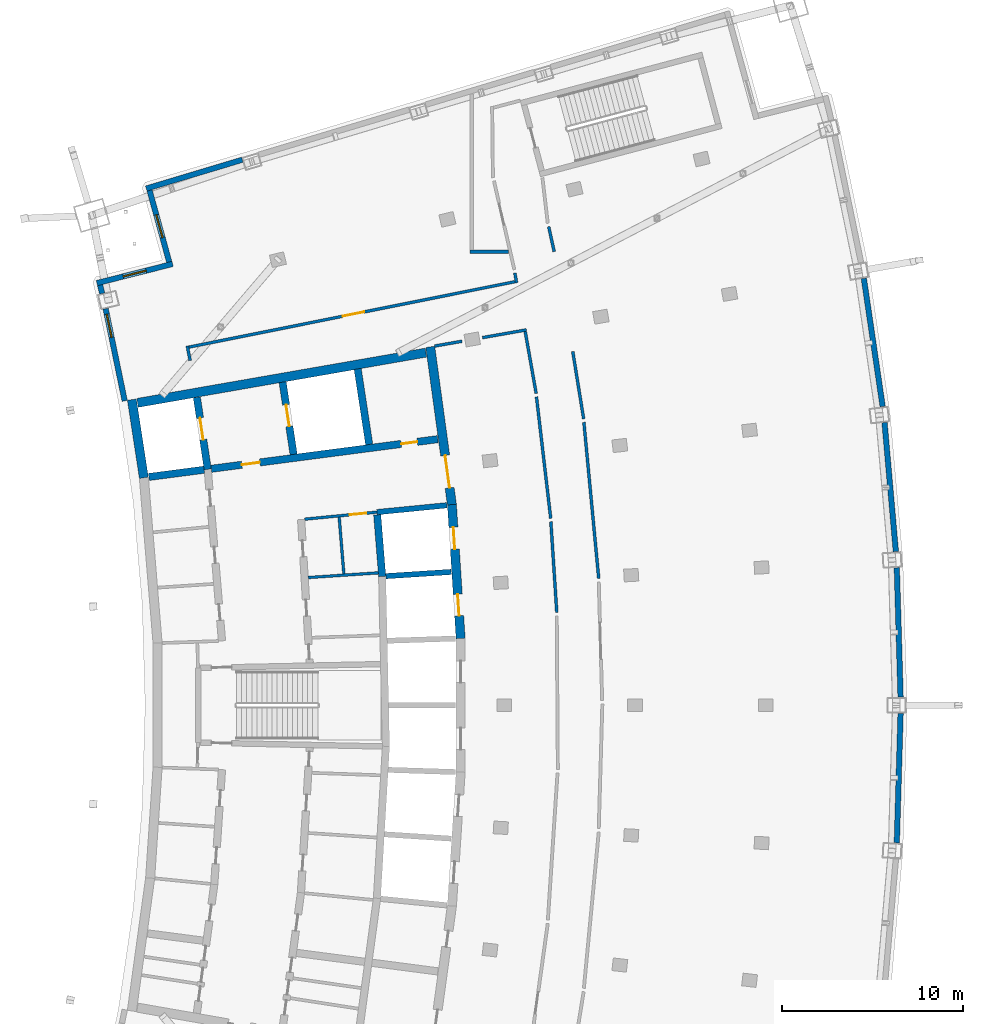
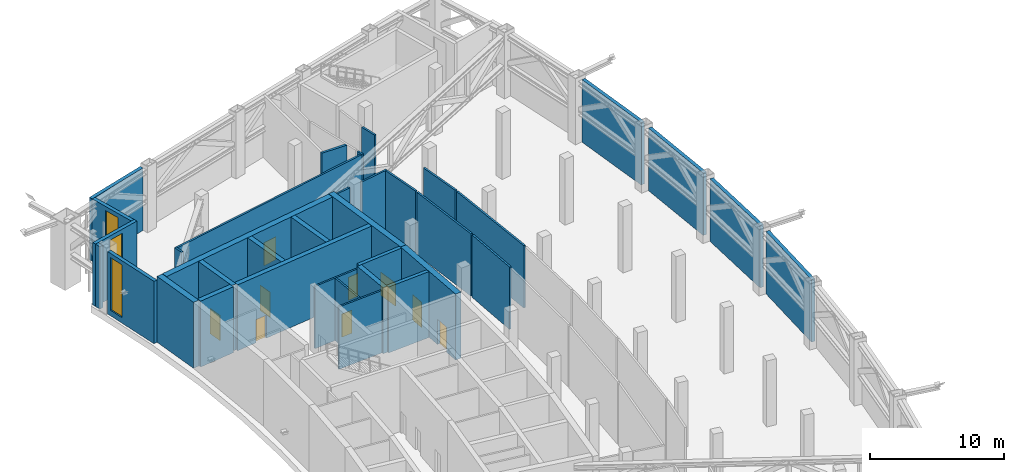
# One storey, part 16 of 23: 36 walls, 9 doors, 3 windows, 12 openings.
"""IFC4 building model written with IfcOpenShell, lengths in metres."""

from ifc_helpers import new_model, si_unit, direction, frame, frame_2d, origin, place, context, subcontext, project, spatial, rectangle, extrude, material, layer, layer_set, type_object, element, fill, save


model = new_model("IFC4")

# Units and contexts
model_context = context("Model", 3, precision=1e-05, world=origin(), true_north=direction((0.0, 1.0)))
body_context = subcontext(model_context, "Body", "Model", "MODEL_VIEW")
ifc_project = project(units=[si_unit("LENGTHUNIT", "METRE"), si_unit("AREAUNIT", "SQUARE_METRE"), si_unit("VOLUMEUNIT", "CUBIC_METRE"), si_unit("PLANEANGLEUNIT", "RADIAN"), si_unit("MASSUNIT", "GRAM", prefix="KILO")], contexts=[model_context])

# Site, building, storey
site_placement = place(None, origin())
site = spatial("IfcSite", under=ifc_project, at=site_placement, CompositionType="ELEMENT")
building_placement = place(site_placement, origin())
building = spatial("IfcBuilding", under=site, at=building_placement, Name="Alderwake Tower", CompositionType="ELEMENT")
storey_placement = place(building_placement, frame((0.0, 0.0, 239.60009765625)))
storey = spatial("IfcBuildingStorey", under=building, at=storey_placement, Name="L59", CompositionType="ELEMENT", Elevation=239.60009765625)

# Walls
ifc_material_1 = material(Name="Gypsum shaft wall system, rated")
ifc_layer_1 = layer(ifc_material_1, 0.14990234375)
ifc_layer_set_1 = layer_set([ifc_layer_1], Name="Core room partition 150")
wall_type_1 = type_object("IfcWallType", Name="Core room partition 150", PredefinedType="PARTITIONING", material=ifc_layer_set_1)
wall_1_placement = place(storey_placement, frame((26.954833984375, 68.245361328125, 0.0), z_axis=(0.0, 0.0, 1.0), x_axis=(-0.082122484008, 0.996622244193, 0.0)))
element("IfcWall", 1, at=wall_1_placement, inside=storey, type_object=wall_type_1, Name="CW/L59/PA+107_+70", PredefinedType="PARTITIONING", context=body_context, shape_type="SweptSolid", body=[
    extrude(rectangle(XDim=3.13037109375, YDim=0.14990234375, at=frame_2d((1.565185546875, 0.0))), origin(), (0.0, 0.0, 1.0), 5.679931640625),
])
wall_2_placement = place(storey_placement, frame((24.992431640625, 68.038818359375, 0.0), z_axis=(0.0, 0.0, 1.0), x_axis=(0.997760236964, 0.066891774789, 0.0)))
element("IfcWall", 2, at=wall_2_placement, inside=storey, type_object=wall_type_1, Name="CW/L59/PR+70_+86", PredefinedType="PARTITIONING", context=body_context, shape_type="SweptSolid", body=[
    extrude(rectangle(XDim=3.86865234375, YDim=0.14990234375, at=frame_2d((1.934326171875, 0.0))), origin(), (0.0, 0.0, 1.0), 5.679931640625),
])

# Wall, opening, door
wall_3_placement = place(storey_placement, frame((28.780517578125, 71.644287109375, 0.0), z_axis=(0.0, 0.0, 1.0), x_axis=(-0.995250000627, -0.097352125046, 0.0)))
wall_3 = element("IfcWall", 3, at=wall_3_placement, inside=storey, type_object=wall_type_1, Name="CW/L59/PR+102_+86", PredefinedType="PARTITIONING", context=body_context, shape_type="SweptSolid", body=[
    extrude(rectangle(XDim=4.0, YDim=0.14990234375, at=frame_2d((2.0, 0.0))), origin(), (0.0, 0.0, 1.0), 5.679931640625),
])
opening_1_placement = place(wall_3_placement, frame((0.60009765625, 0.0, 0.0)))
opening_1 = element("IfcOpeningElement", 4, at=opening_1_placement, cuts=wall_3, Name="Opening C022", PredefinedType="OPENING", context=body_context, shape_type="SweptSolid", body=[
    extrude(rectangle(XDim=0.89990234375, YDim=2.10009765625, at=frame_2d((0.449951171875, 1.050048828125))), frame((0.0, 0.0849609375, 0.0), z_axis=(0.0, -1.0, 0.0), x_axis=(1.0, 0.0, 0.0)), (0.0, 0.0, 1.0), 0.169921875),
])
ifc_material_2 = material(Name="Painted steel leaf", Category="steel")
door_type_1 = type_object("IfcDoorType", Name="Core room door 900", OperationType="SINGLE_SWING_LEFT", PredefinedType="DOOR", material=ifc_material_2)
door_1_placement = place(opening_1_placement, origin())
door_1 = element("IfcDoor", 5, at=door_1_placement, inside=storey, type_object=door_type_1, Name="Room door", OperationType="SINGLE_SWING_RIGHT", OverallHeight=2.10009765625, OverallWidth=0.89990234375, PredefinedType="DOOR", context=body_context, shape_type="SweptSolid", body=[
    extrude(rectangle(XDim=0.89990234375, YDim=2.10009765625, at=frame_2d((0.449951171875, 1.050048828125))), frame((0.0, 0.02490234375, 0.0), z_axis=(0.0, -1.0, 0.0), x_axis=(1.0, 0.0, 0.0)), (0.0, 0.0, 1.0), 0.050048828125),
])
fill(opening_1, door_1)

# Wall
ifc_material_3 = material(Name="Concrete C70/85", Category="concrete")
ifc_layer_2 = layer(ifc_material_3, 0.5)
ifc_layer_set_2 = layer_set([ifc_layer_2], Name="Core wall outer 500 C70-85")
wall_type_2 = type_object("IfcWallType", Name="Core wall outer 500 C70-85", PredefinedType="SHEAR", material=ifc_layer_set_2)
wall_4_placement = place(storey_placement, frame((15.934326171875, 73.5380859375, 0.0), z_axis=(0.0, 0.0, 1.0), x_axis=(-0.151947718368, 0.988388532351, 0.0)))
element("IfcWall", 6, at=wall_4_placement, inside=storey, type_object=wall_type_2, Name="Core wall CW.025", PredefinedType="SHEAR", context=body_context, shape_type="SweptSolid", body=[
    extrude(rectangle(XDim=4.357421875, YDim=0.5, at=frame_2d((2.1787109375, 0.0))), origin(), (0.0, 0.0, 1.0), 6.0),
])

# Wall, openings, doors
wall_5_placement = place(storey_placement, frame((33.390625, 64.679443359375, 0.0), z_axis=(0.0, 0.0, 1.0), x_axis=(-0.064980500916, 0.997886533881, 0.0)))
wall_5 = element("IfcWall", 7, at=wall_5_placement, inside=storey, type_object=wall_type_2, Name="Core wall CW.020", PredefinedType="SHEAR", context=body_context, shape_type="SweptSolid", body=[
    extrude(rectangle(XDim=7.39404296875, YDim=0.5, at=frame_2d((3.697021484375, 0.0))), origin(), (0.0, 0.0, 1.0), 6.0),
])
opening_2_placement = place(wall_5_placement, frame((1.25244140625, 0.0, 0.0)))
opening_2 = element("IfcOpeningElement", 8, at=opening_2_placement, cuts=wall_5, Name="Opening LD-HP5", PredefinedType="OPENING", context=body_context, shape_type="SweptSolid", body=[
    extrude(rectangle(XDim=1.199951171875, YDim=2.300048828125, at=frame_2d((0.60009765625, 1.14990234375))), frame((0.0, 0.260009765625, 0.0), z_axis=(0.0, -1.0, 0.0), x_axis=(1.0, 0.0, 0.0)), (0.0, 0.0, 1.0), 0.52001953125),
])
opening_3_placement = place(wall_5_placement, frame((4.94091796875, 0.0, 0.0)))
opening_3 = element("IfcOpeningElement", 9, at=opening_3_placement, cuts=wall_5, Name="Opening LD-HP6", PredefinedType="OPENING", context=body_context, shape_type="SweptSolid", body=[
    extrude(rectangle(XDim=1.199951171875, YDim=2.300048828125, at=frame_2d((0.60009765625, 1.14990234375))), frame((0.0, 0.260009765625, 0.0), z_axis=(0.0, -1.0, 0.0), x_axis=(1.0, 0.0, 0.0)), (0.0, 0.0, 1.0), 0.52001953125),
])
ifc_material_4 = material(Name="Stainless steel sliding leaf", Category="steel")
door_type_2 = type_object("IfcDoorType", Name="Lift landing door 1200", OperationType="SLIDING_TO_LEFT", PredefinedType="DOOR", material=ifc_material_4)
door_2_placement = place(opening_2_placement, origin())
door_2 = element("IfcDoor", 10, at=door_2_placement, inside=storey, type_object=door_type_2, Name="Lift landing door HP5", OperationType="SLIDING_TO_LEFT", OverallHeight=2.300048828125, OverallWidth=1.199951171875, PredefinedType="DOOR", context=body_context, shape_type="SweptSolid", body=[
    extrude(rectangle(XDim=1.199951171875, YDim=2.300048828125, at=frame_2d((0.60009765625, 1.14990234375))), frame((0.0, 0.02490234375, 0.0), z_axis=(0.0, -1.0, 0.0), x_axis=(1.0, 0.0, 0.0)), (0.0, 0.0, 1.0), 0.050048828125),
])
fill(opening_2, door_2)
door_3_placement = place(opening_3_placement, origin())
door_3 = element("IfcDoor", 11, at=door_3_placement, inside=storey, type_object=door_type_2, Name="Lift landing door HP6", OperationType="SLIDING_TO_LEFT", OverallHeight=2.300048828125, OverallWidth=1.199951171875, PredefinedType="DOOR", context=body_context, shape_type="SweptSolid", body=[
    extrude(rectangle(XDim=1.199951171875, YDim=2.300048828125, at=frame_2d((0.60009765625, 1.14990234375))), frame((0.0, 0.02490234375, 0.0), z_axis=(0.0, -1.0, 0.0), x_axis=(1.0, 0.0, 0.0)), (0.0, 0.0, 1.0), 0.050048828125),
])
fill(opening_3, door_3)

# Wall, opening, door
wall_6_placement = place(storey_placement, frame((31.71728515625, 80.752685546875, 0.0), z_axis=(0.0, 0.0, 1.0), x_axis=(0.1358539401, -0.990728876615, 0.0)))
wall_6 = element("IfcWall", 12, at=wall_6_placement, inside=storey, type_object=wall_type_2, Name="Core wall CW.019", PredefinedType="SHEAR", context=body_context, shape_type="SweptSolid", body=[
    extrude(rectangle(XDim=8.794921875, YDim=0.5, at=frame_2d((4.3974609375, 0.0))), origin(), (0.0, 0.0, 1.0), 6.0),
])
opening_4_placement = place(wall_6_placement, frame((6.0419921875, 0.0, 0.0)))
opening_4 = element("IfcOpeningElement", 13, at=opening_4_placement, cuts=wall_6, Name="Opening C001", PredefinedType="OPENING", context=body_context, shape_type="SweptSolid", body=[
    extrude(rectangle(XDim=1.800048828125, YDim=2.10009765625, at=frame_2d((0.89990234375, 1.050048828125))), frame((0.0, 0.260009765625, 0.0), z_axis=(0.0, -1.0, 0.0), x_axis=(1.0, 0.0, 0.0)), (0.0, 0.0, 1.0), 0.52001953125),
])
ifc_material_5 = material(Name="Steel-framed fire door leaves", Category="steel")
door_type_3 = type_object("IfcDoorType", Name="Core double door 1800 fire-rated", OperationType="DOUBLE_DOOR_SINGLE_SWING", PredefinedType="DOOR", material=ifc_material_5)
door_4_placement = place(opening_4_placement, origin())
door_4 = element("IfcDoor", 14, at=door_4_placement, inside=storey, type_object=door_type_3, Name="Lobby double door", OperationType="DOUBLE_DOOR_SINGLE_SWING", OverallHeight=2.10009765625, OverallWidth=1.800048828125, PredefinedType="DOOR", context=body_context, shape_type="SweptSolid", body=[
    extrude(rectangle(XDim=1.800048828125, YDim=2.10009765625, at=frame_2d((0.89990234375, 1.050048828125))), frame((0.0, 0.02490234375, 0.0), z_axis=(0.0, -1.0, 0.0), x_axis=(1.0, 0.0, 0.0)), (0.0, 0.0, 1.0), 0.050048828125),
])
fill(opening_4, door_4)

# Walls
wall_7_placement = place(storey_placement, frame((15.583251953125, 77.664306640625, 0.0), z_axis=(0.0, 0.0, 1.0), x_axis=(0.985139146221, 0.171758151429, 0.0)))
element("IfcWall", 15, at=wall_7_placement, inside=storey, type_object=wall_type_2, Name="Core wall CW.055", PredefinedType="SHEAR", context=body_context, shape_type="SweptSolid", body=[
    extrude(rectangle(XDim=16.134521484375, YDim=0.5, at=frame_2d((8.0673828125, 0.0))), origin(), (0.0, 0.0, 1.0), 6.0),
])
ifc_material_6 = material(Name="Concrete C70/85", Category="concrete")
ifc_layer_3 = layer(ifc_material_6, 0.300048828125)
ifc_layer_set_3 = layer_set([ifc_layer_3], Name="Core wall shaft 300 C70-85")
wall_type_3 = type_object("IfcWallType", Name="Core wall shaft 300 C70-85", PredefinedType="SHEAR", material=ifc_layer_set_3)
wall_8_placement = place(storey_placement, frame((29.268798828125, 68.115478515625, 0.0), z_axis=(0.0, 0.0, 1.0), x_axis=(0.997885735437, 0.064992761217, 0.0)))
element("IfcWall", 16, at=wall_8_placement, inside=storey, type_object=wall_type_3, Name="Core wall CW.061", PredefinedType="SHEAR", context=body_context, shape_type="SweptSolid", body=[
    extrude(rectangle(XDim=3.60986328125, YDim=0.300048828125, at=frame_2d((1.804931640625, 0.0))), origin(), (0.0, 0.0, 1.0), 6.0),
])
wall_9_placement = place(storey_placement, frame((28.780517578125, 71.644287109375, 0.0), z_axis=(0.0, 0.0, 1.0), x_axis=(0.995244248631, 0.097410910928, 0.0)))
element("IfcWall", 17, at=wall_9_placement, inside=storey, type_object=wall_type_3, Name="Core wall CW.049", PredefinedType="SHEAR", context=body_context, shape_type="SweptSolid", body=[
    extrude(rectangle(XDim=3.86962890625, YDim=0.300048828125, at=frame_2d((1.934814453125, 0.0))), origin(), (0.0, 0.0, 1.0), 6.0),
])

# Wall, opening, door
ifc_material_7 = material(Name="Concrete C70/85", Category="concrete")
ifc_layer_4 = layer(ifc_material_7, 0.39990234375)
ifc_layer_set_4 = layer_set([ifc_layer_4], Name="Core wall spine 400 C70-85")
wall_type_4 = type_object("IfcWallType", Name="Core wall spine 400 C70-85", PredefinedType="SHEAR", material=ifc_layer_set_4)
wall_10_placement = place(storey_placement, frame((19.4541015625, 74.00048828125, 0.0), z_axis=(0.0, 0.0, 1.0), x_axis=(-0.149461330246, 0.988767571657, 0.0)))
wall_10 = element("IfcWall", 18, at=wall_10_placement, inside=storey, type_object=wall_type_4, Name="Core wall CW.030", PredefinedType="SHEAR", context=body_context, shape_type="SweptSolid", body=[
    extrude(rectangle(XDim=4.01513671875, YDim=0.39990234375, at=frame_2d((2.007568359375, 0.0))), origin(), (0.0, 0.0, 1.0), 6.0),
])
opening_5_placement = place(wall_10_placement, frame((1.6611328125, 0.0, 0.0)))
opening_5 = element("IfcOpeningElement", 19, at=opening_5_placement, cuts=wall_10, Name="Opening LD-FF1", PredefinedType="OPENING", context=body_context, shape_type="SweptSolid", body=[
    extrude(rectangle(XDim=1.199951171875, YDim=2.300048828125, at=frame_2d((0.60009765625, 1.14990234375))), frame((0.0, 0.2099609375, 0.0), z_axis=(0.0, -1.0, 0.0), x_axis=(1.0, 0.0, 0.0)), (0.0, 0.0, 1.0), 0.419921875),
])
door_5_placement = place(opening_5_placement, origin())
door_5 = element("IfcDoor", 20, at=door_5_placement, inside=storey, type_object=door_type_2, Name="Lift landing door FF1", OperationType="SLIDING_TO_LEFT", OverallHeight=2.300048828125, OverallWidth=1.199951171875, PredefinedType="DOOR", context=body_context, shape_type="SweptSolid", body=[
    extrude(rectangle(XDim=1.199951171875, YDim=2.300048828125, at=frame_2d((0.60009765625, 1.14990234375))), frame((0.0, 0.02490234375, 0.0), z_axis=(0.0, -1.0, 0.0), x_axis=(1.0, 0.0, 0.0)), (0.0, 0.0, 1.0), 0.050048828125),
])
fill(opening_5, door_5)

wall_11_placement = place(storey_placement, frame((24.186279296875, 74.82861328125, 0.0), z_axis=(0.0, 0.0, 1.0), x_axis=(-0.150547717109, 0.988602743711, 0.0)))
wall_11 = element("IfcWall", 21, at=wall_11_placement, inside=storey, type_object=wall_type_4, Name="Core wall CW.044", PredefinedType="SHEAR", context=body_context, shape_type="SweptSolid", body=[
    extrude(rectangle(XDim=4.0234375, YDim=0.39990234375, at=frame_2d((2.01171875, 0.0))), origin(), (0.0, 0.0, 1.0), 6.0),
])
opening_6_placement = place(wall_11_placement, frame((1.561767578125, 0.0, 0.0)))
opening_6 = element("IfcOpeningElement", 22, at=opening_6_placement, cuts=wall_11, Name="Opening LD-FF2", PredefinedType="OPENING", context=body_context, shape_type="SweptSolid", body=[
    extrude(rectangle(XDim=1.199951171875, YDim=2.300048828125, at=frame_2d((0.60009765625, 1.14990234375))), frame((0.0, 0.2099609375, 0.0), z_axis=(0.0, -1.0, 0.0), x_axis=(1.0, 0.0, 0.0)), (0.0, 0.0, 1.0), 0.419921875),
])
door_6_placement = place(opening_6_placement, origin())
door_6 = element("IfcDoor", 23, at=door_6_placement, inside=storey, type_object=door_type_2, Name="Lift landing door FF2", OperationType="SLIDING_TO_LEFT", OverallHeight=2.300048828125, OverallWidth=1.199951171875, PredefinedType="DOOR", context=body_context, shape_type="SweptSolid", body=[
    extrude(rectangle(XDim=1.199951171875, YDim=2.300048828125, at=frame_2d((0.60009765625, 1.14990234375))), frame((0.0, 0.02490234375, 0.0), z_axis=(0.0, -1.0, 0.0), x_axis=(1.0, 0.0, 0.0)), (0.0, 0.0, 1.0), 0.050048828125),
])
fill(opening_6, door_6)

# Walls
wall_12_placement = place(storey_placement, frame((29.069580078125, 68.09619140625, 0.0), z_axis=(0.0, 0.0, 1.0), x_axis=(-0.080544811251, 0.996750988653, 0.0)))
element("IfcWall", 24, at=wall_12_placement, inside=storey, type_object=wall_type_4, Name="Core wall CW.003", PredefinedType="SHEAR", context=body_context, shape_type="SweptSolid", body=[
    extrude(rectangle(XDim=3.409912109375, YDim=0.39990234375, at=frame_2d((1.705078125, 0.0))), origin(), (0.0, 0.0, 1.0), 6.0),
])
wall_13_placement = place(storey_placement, frame((28.350830078125, 75.373291015625, 0.0), z_axis=(0.0, 0.0, 1.0), x_axis=(-0.150576223774, 0.988598402201, 0.0)))
element("IfcWall", 25, at=wall_13_placement, inside=storey, type_object=wall_type_4, Name="Core wall CW.001", PredefinedType="SHEAR", context=body_context, shape_type="SweptSolid", body=[
    extrude(rectangle(XDim=4.21240234375, YDim=0.39990234375, at=frame_2d((2.106201171875, 0.0))), origin(), (0.0, 0.0, 1.0), 6.0),
])
wall_14_placement = place(storey_placement, frame((16.210693359375, 73.583740234375, 0.0), z_axis=(0.0, 0.0, 1.0), x_axis=(0.991560893257, 0.129641794819, 0.0)))
element("IfcWall", 26, at=wall_14_placement, inside=storey, type_object=wall_type_4, Name="Core wall CW.051", PredefinedType="SHEAR", context=body_context, shape_type="SweptSolid", body=[
    extrude(rectangle(XDim=3.069580078125, YDim=0.39990234375, at=frame_2d((1.53466796875, 0.0))), origin(), (0.0, 0.0, 1.0), 6.0),
])

# Wall, openings, doors
wall_15_placement = place(storey_placement, frame((32.132080078125, 75.666015625, 0.0), z_axis=(0.0, 0.0, 1.0), x_axis=(-0.991555139901, -0.129685791576, 0.0)))
wall_15 = element("IfcWall", 27, at=wall_15_placement, inside=storey, type_object=wall_type_4, Name="Core wall CW.052", PredefinedType="SHEAR", context=body_context, shape_type="SweptSolid", body=[
    extrude(rectangle(XDim=12.586669921875, YDim=0.39990234375, at=frame_2d((6.29345703125, 0.0))), origin(), (0.0, 0.0, 1.0), 6.0),
])
opening_7_placement = place(wall_15_placement, frame((9.88720703125, 0.0, 0.0)))
opening_7 = element("IfcOpeningElement", 28, at=opening_7_placement, cuts=wall_15, Name="Opening C002", PredefinedType="OPENING", context=body_context, shape_type="SweptSolid", body=[
    extrude(rectangle(XDim=1.0, YDim=2.10009765625, at=frame_2d((0.5, 1.050048828125))), frame((0.0, 0.2099609375, 0.0), z_axis=(0.0, -1.0, 0.0), x_axis=(1.0, 0.0, 0.0)), (0.0, 0.0, 1.0), 0.419921875),
])
opening_8_placement = place(wall_15_placement, frame((1.13720703125, 0.0, 0.0)))
opening_8 = element("IfcOpeningElement", 29, at=opening_8_placement, cuts=wall_15, Name="Opening C020", PredefinedType="OPENING", context=body_context, shape_type="SweptSolid", body=[
    extrude(rectangle(XDim=0.89990234375, YDim=2.10009765625, at=frame_2d((0.449951171875, 1.050048828125))), frame((0.0, 0.2099609375, 0.0), z_axis=(0.0, -1.0, 0.0), x_axis=(1.0, 0.0, 0.0)), (0.0, 0.0, 1.0), 0.419921875),
])
door_7_placement = place(opening_8_placement, origin())
door_7 = element("IfcDoor", 30, at=door_7_placement, inside=storey, type_object=door_type_1, Name="Room door", OperationType="SINGLE_SWING_LEFT", OverallHeight=2.10009765625, OverallWidth=0.89990234375, PredefinedType="DOOR", context=body_context, shape_type="SweptSolid", body=[
    extrude(rectangle(XDim=0.89990234375, YDim=2.10009765625, at=frame_2d((0.449951171875, 1.050048828125))), frame((0.0, 0.02490234375, 0.0), z_axis=(0.0, -1.0, 0.0), x_axis=(1.0, 0.0, 0.0)), (0.0, 0.0, 1.0), 0.050048828125),
])
fill(opening_8, door_7)
ifc_material_8 = material(Name="Steel-framed fire door leaf", Category="steel")
door_type_4 = type_object("IfcDoorType", Name="Firefighting lobby door 1000 fire-rated", OperationType="SINGLE_SWING_LEFT", PredefinedType="DOOR", material=ifc_material_8)
door_8_placement = place(opening_7_placement, origin())
door_8 = element("IfcDoor", 31, at=door_8_placement, inside=storey, type_object=door_type_4, Name="Firefighting lobby door", OperationType="SINGLE_SWING_RIGHT", OverallHeight=2.10009765625, OverallWidth=1.0, PredefinedType="DOOR", context=body_context, shape_type="SweptSolid", body=[
    extrude(rectangle(XDim=1.0, YDim=2.10009765625, at=frame_2d((0.5, 1.050048828125))), frame((0.0, 0.02490234375, 0.0), z_axis=(0.0, -1.0, 0.0), x_axis=(1.0, 0.0, 0.0)), (0.0, 0.0, 1.0), 0.050048828125),
])
fill(opening_7, door_8)

# Walls
ifc_material_9 = material(Name="Gypsum board on metal studs, rated")
ifc_layer_5 = layer(ifc_material_9, 0.159912109375)
ifc_layer_set_5 = layer_set([ifc_layer_5], Name="Corridor wall 160")
wall_type_5 = type_object("IfcWallType", Name="Corridor wall 160", PredefinedType="PARTITIONING", material=ifc_layer_set_5)
wall_16_placement = place(storey_placement, frame((18.32666015625, 80.802490234375, 0.0), z_axis=(0.0, 0.0, 1.0), x_axis=(0.191341767501, -0.981523472979, 0.0)))
element("IfcWall", 32, at=wall_16_placement, inside=storey, type_object=wall_type_5, Name="WL/L59/W06", PredefinedType="PARTITIONING", context=body_context, shape_type="SweptSolid", body=[
    extrude(rectangle(XDim=0.816650390625, YDim=0.159912109375, at=frame_2d((0.408203125, 0.0))), origin(), (0.0, 0.0, 1.0), 5.679931640625),
])
wall_17_placement = place(storey_placement, frame((31.9619140625, 80.7958984375, 0.0), z_axis=(0.0, 0.0, 1.0), x_axis=(0.984746575646, 0.173994775078, 0.0)))
element("IfcWall", 33, at=wall_17_placement, inside=storey, type_object=wall_type_5, Name="WL/L59/W08", PredefinedType="PARTITIONING", context=body_context, shape_type="SweptSolid", body=[
    extrude(rectangle(XDim=1.529541015625, YDim=0.159912109375, at=frame_2d((0.7646484375, 0.0))), origin(), (0.0, 0.0, 1.0), 5.679931640625),
])
wall_18_placement = place(storey_placement, frame((34.594482421875, 81.26123046875, 0.0), z_axis=(0.0, 0.0, 1.0), x_axis=(0.984741532157, 0.17402331696, 0.0)))
element("IfcWall", 34, at=wall_18_placement, inside=storey, type_object=wall_type_5, Name="WL/L59/W36", PredefinedType="PARTITIONING", context=body_context, shape_type="SweptSolid", body=[
    extrude(rectangle(XDim=2.4580078125, YDim=0.159912109375, at=frame_2d((1.22900390625, 0.0))), origin(), (0.0, 0.0, 1.0), 5.679931640625),
])
wall_19_placement = place(storey_placement, frame((36.379638671875, 84.823486328125, 0.0), z_axis=(0.0, 0.0, 1.0), x_axis=(0.175100178187, -0.984550622162, 0.0)))
element("IfcWall", 35, at=wall_19_placement, inside=storey, type_object=wall_type_5, Name="WL/L59/W13", PredefinedType="PARTITIONING", context=body_context, shape_type="SweptSolid", body=[
    extrude(rectangle(XDim=0.55078125, YDim=0.159912109375, at=frame_2d((0.275390625, 0.0))), origin(), (0.0, 0.0, 1.0), 5.679931640625),
])

# Wall, opening, door
wall_20_placement = place(storey_placement, frame((36.383544921875, 84.34423828125, 0.0), z_axis=(0.0, 0.0, 1.0), x_axis=(-0.980455935077, -0.196738810029, 0.0)))
wall_20 = element("IfcWall", 36, at=wall_20_placement, inside=storey, type_object=wall_type_5, Name="WL/L59/W15", PredefinedType="PARTITIONING", context=body_context, shape_type="SweptSolid", body=[
    extrude(rectangle(XDim=18.3212890625, YDim=0.159912109375, at=frame_2d((9.16064453125, 0.0))), origin(), (0.0, 0.0, 1.0), 5.679931640625),
])
opening_9_placement = place(wall_20_placement, frame((8.470947265625, 0.0, 0.0)))
opening_9 = element("IfcOpeningElement", 37, at=opening_9_placement, cuts=wall_20, Name="Opening L59-04", PredefinedType="OPENING", context=body_context, shape_type="SweptSolid", body=[
    extrude(rectangle(XDim=1.199951171875, YDim=2.10009765625, at=frame_2d((0.60009765625, 1.050048828125))), frame((0.0, 0.08984375, 0.0), z_axis=(0.0, -1.0, 0.0), x_axis=(1.0, 0.0, 0.0)), (0.0, 0.0, 1.0), 0.179931640625),
])
ifc_material_10 = material(Name="Steel door leaf in steel frame", Category="steel")
door_type_5 = type_object("IfcDoorType", Name="Plant room door 1200 steel", OperationType="SINGLE_SWING_LEFT", PredefinedType="DOOR", material=ifc_material_10)
door_9_placement = place(opening_9_placement, origin())
door_9 = element("IfcDoor", 38, at=door_9_placement, inside=storey, type_object=door_type_5, Name="DR/L59/04", OperationType="SINGLE_SWING_LEFT", OverallHeight=2.10009765625, OverallWidth=1.199951171875, PredefinedType="DOOR", context=body_context, shape_type="SweptSolid", body=[
    extrude(rectangle(XDim=1.199951171875, YDim=2.10009765625, at=frame_2d((0.60009765625, 1.050048828125))), frame((0.0, 0.02490234375, 0.0), z_axis=(0.0, -1.0, 0.0), x_axis=(1.0, 0.0, 0.0)), (0.0, 0.0, 1.0), 0.050048828125),
])
fill(opening_9, door_9)

# Walls
wall_21_placement = place(storey_placement, frame((36.949951171875, 81.59619140625, 0.0), z_axis=(0.0, 0.0, 1.0), x_axis=(0.174094933597, -0.984728873394, 0.0)))
element("IfcWall", 39, at=wall_21_placement, inside=storey, type_object=wall_type_5, Name="WL/L59/W18", PredefinedType="PARTITIONING", context=body_context, shape_type="SweptSolid", body=[
    extrude(rectangle(XDim=3.4638671875, YDim=0.159912109375, at=frame_2d((1.73193359375, 0.0))), origin(), (0.0, 0.0, 1.0), 5.679931640625),
])
wall_22_placement = place(storey_placement, frame((37.570068359375, 77.9990234375, 0.0), z_axis=(0.0, 0.0, 1.0), x_axis=(0.11645047011, -0.993196500201, 0.0)))
element("IfcWall", 40, at=wall_22_placement, inside=storey, type_object=wall_type_5, Name="WL/L59/W20", PredefinedType="PARTITIONING", context=body_context, shape_type="SweptSolid", body=[
    extrude(rectangle(XDim=6.742431640625, YDim=0.159912109375, at=frame_2d((3.37109375, 0.0))), origin(), (0.0, 0.0, 1.0), 5.679931640625),
])
wall_23_placement = place(storey_placement, frame((38.36328125, 71.115966796875, 0.0), z_axis=(0.0, 0.0, 1.0), x_axis=(0.065232050618, -0.997870121595, 0.0)))
element("IfcWall", 41, at=wall_23_placement, inside=storey, type_object=wall_type_5, Name="WL/L59/W26", PredefinedType="PARTITIONING", context=body_context, shape_type="SweptSolid", body=[
    extrude(rectangle(XDim=5.011474609375, YDim=0.159912109375, at=frame_2d((2.505859375, 0.0))), origin(), (0.0, 0.0, 1.0), 5.679931640625),
])
wall_24_placement = place(storey_placement, frame((38.547119140625, 86.0009765625, 0.0), z_axis=(0.0, 0.0, 1.0), x_axis=(-0.215997993434, 0.976393807248, 0.0)))
element("IfcWall", 42, at=wall_24_placement, inside=storey, type_object=wall_type_5, Name="WL/L59/W27", PredefinedType="PARTITIONING", context=body_context, shape_type="SweptSolid", body=[
    extrude(rectangle(XDim=1.4140625, YDim=0.159912109375, at=frame_2d((0.70703125, 0.0))), origin(), (0.0, 0.0, 1.0), 5.679931640625),
])
wall_25_placement = place(storey_placement, frame((40.1708984375, 76.783935546875, 0.0), z_axis=(0.0, 0.0, 1.0), x_axis=(-0.159652585989, 0.987173263306, 0.0)))
element("IfcWall", 43, at=wall_25_placement, inside=storey, type_object=wall_type_5, Name="WL/L59/W32", PredefinedType="PARTITIONING", context=body_context, shape_type="SweptSolid", body=[
    extrude(rectangle(XDim=3.763427734375, YDim=0.159912109375, at=frame_2d((1.8818359375, 0.0))), origin(), (0.0, 0.0, 1.0), 5.679931640625),
])
wall_26_placement = place(storey_placement, frame((41.002685546875, 67.9873046875, 0.0), z_axis=(0.0, 0.0, 1.0), x_axis=(-0.094731831177, 0.995502827802, 0.0)))
element("IfcWall", 44, at=wall_26_placement, inside=storey, type_object=wall_type_5, Name="WL/L59/W34", PredefinedType="PARTITIONING", context=body_context, shape_type="SweptSolid", body=[
    extrude(rectangle(XDim=8.64892578125, YDim=0.159912109375, at=frame_2d((4.324462890625, 0.0))), origin(), (0.0, 0.0, 1.0), 5.679931640625),
])
ifc_material_11 = material(Name="Bronze metal cladding on lightweight framing")
ifc_layer_6 = layer(ifc_material_11, 0.300048828125)
ifc_layer_set_6 = layer_set([ifc_layer_6], Name="External wall EW3 plant enclosure")
wall_type_6 = type_object("IfcWallType", Name="External wall EW3 plant enclosure", PredefinedType="SOLIDWALL", material=ifc_layer_set_6)
for number, where, z_axis, x_axis, name in (
    (45, (57.428955078125, 53.422119140625, 0.0), (0.0, 0.0, 1.0), (0.029158685433, 0.999574795132, 0.0), "External wall 15"),
    (46, (57.636962890625, 61.447265625, 0.0), (0.0, 0.0, 1.0), (-0.029158685433, 0.999574795132, 0.0), "External wall 16"),
):
    element("IfcWall", number, at=place(storey_placement, frame(where, z_axis=z_axis, x_axis=x_axis)), inside=storey, type_object=wall_type_6, Name=name, PredefinedType="SOLIDWALL", context=body_context, shape_type="SweptSolid", body=[
        extrude(rectangle(XDim=7.133544921875, YDim=0.300048828125, at=frame_2d((3.56689453125, 0.0))), origin(), (0.0, 0.0, 1.0), 5.679931640625),
    ])
wall_27_placement = place(storey_placement, frame((57.376708984375, 69.470703125, 0.0), z_axis=(0.0, 0.0, 1.0), x_axis=(-0.087372427007, 0.996175716929, 0.0)))
element("IfcWall", 47, at=wall_27_placement, inside=storey, type_object=wall_type_6, Name="External wall 17", PredefinedType="SOLIDWALL", context=body_context, shape_type="SweptSolid", body=[
    extrude(rectangle(XDim=7.1337890625, YDim=0.300048828125, at=frame_2d((3.56689453125, 0.0))), origin(), (0.0, 0.0, 1.0), 5.679931640625),
])
wall_28_placement = place(storey_placement, frame((56.649169921875, 77.465576171875, 0.0), z_axis=(0.0, 0.0, 1.0), x_axis=(-0.14531565173, 0.989385345233, 0.0)))
element("IfcWall", 48, at=wall_28_placement, inside=storey, type_object=wall_type_6, Name="External wall 18", PredefinedType="SOLIDWALL", context=body_context, shape_type="SweptSolid", body=[
    extrude(rectangle(XDim=7.133544921875, YDim=0.300048828125, at=frame_2d((3.56689453125, 0.0))), origin(), (0.0, 0.0, 1.0), 5.679931640625),
])
wall_29_placement = place(storey_placement, frame((21.356689453125, 91.064697265625, 0.0), z_axis=(0.0, 0.0, 1.0), x_axis=(-0.957772749247, -0.287526278451, 0.0)))
element("IfcWall", 49, at=wall_29_placement, inside=storey, type_object=wall_type_6, Name="External wall 27", PredefinedType="SOLIDWALL", context=body_context, shape_type="SweptSolid", body=[
    extrude(rectangle(XDim=5.524169921875, YDim=0.300048828125, at=frame_2d((2.76220703125, 0.0))), origin(), (0.0, 0.0, 1.0), 5.679931640625),
])

# Wall, opening, window
wall_30_placement = place(storey_placement, frame((16.248779296875, 89.374755859375, 0.0), z_axis=(0.0, 0.0, 1.0), x_axis=(0.264607053468, -0.964356317579, 0.0)))
wall_30 = element("IfcWall", 50, at=wall_30_placement, inside=storey, type_object=wall_type_6, Name="External wall 28", PredefinedType="SOLIDWALL", context=body_context, shape_type="SweptSolid", body=[
    extrude(rectangle(XDim=4.090087890625, YDim=0.300048828125, at=frame_2d((2.044921875, 0.0))), origin(), (0.0, 0.0, 1.0), 5.679931640625),
])
opening_10_placement = place(wall_30_placement, frame((1.39501953125, 0.0, 0.5)))
opening_10 = element("IfcOpeningElement", 51, at=opening_10_placement, cuts=wall_30, Name="Opening LV1", PredefinedType="OPENING", context=body_context, shape_type="SweptSolid", body=[
    extrude(rectangle(XDim=1.300048828125, YDim=4.800048828125, at=frame_2d((0.64990234375, 2.39990234375))), frame((0.0, 0.159912109375, 0.0), z_axis=(0.0, -1.0, 0.0), x_axis=(1.0, 0.0, 0.0)), (0.0, 0.0, 1.0), 0.320068359375),
])
ifc_material_12 = material(Name="Bronze anodised aluminium louvre", Category="aluminium")
window_type = type_object("IfcWindowType", Name="Louvre LV1 plant floor", PartitioningType="SINGLE_PANEL", PredefinedType="USERDEFINED", material=ifc_material_12)
window_1_placement = place(opening_10_placement, origin())
window_1 = element("IfcWindow", 52, at=window_1_placement, inside=storey, type_object=window_type, Name="Louvre LV1 plant floor", ObjectType="LOUVRE", OverallHeight=4.800048828125, OverallWidth=1.300048828125, PartitioningType="SINGLE_PANEL", PredefinedType="USERDEFINED", context=body_context, shape_type="SweptSolid", body=[
    extrude(rectangle(XDim=1.300048828125, YDim=4.800048828125, at=frame_2d((0.64990234375, 2.39990234375))), frame((0.0, 0.030029296875, 0.0), z_axis=(0.0, -1.0, 0.0), x_axis=(1.0, 0.0, 0.0)), (0.0, 0.0, 1.0), 0.06005859375),
])
fill(opening_10, window_1)

wall_31_placement = place(storey_placement, frame((17.51611328125, 85.32275390625, 0.0), z_axis=(0.0, 0.0, 1.0), x_axis=(-0.969417740682, -0.245416470617, 0.0)))
wall_31 = element("IfcWall", 53, at=wall_31_placement, inside=storey, type_object=wall_type_6, Name="External wall 29", PredefinedType="SOLIDWALL", context=body_context, shape_type="SweptSolid", body=[
    extrude(rectangle(XDim=4.305419921875, YDim=0.300048828125, at=frame_2d((2.15283203125, 0.0))), origin(), (0.0, 0.0, 1.0), 5.679931640625),
])
opening_11_placement = place(wall_31_placement, frame((1.502685546875, 0.0, 0.5)))
opening_11 = element("IfcOpeningElement", 54, at=opening_11_placement, cuts=wall_31, Name="Opening LV1", PredefinedType="OPENING", context=body_context, shape_type="SweptSolid", body=[
    extrude(rectangle(XDim=1.300048828125, YDim=4.800048828125, at=frame_2d((0.64990234375, 2.39990234375))), frame((0.0, 0.159912109375, 0.0), z_axis=(0.0, -1.0, 0.0), x_axis=(1.0, 0.0, 0.0)), (0.0, 0.0, 1.0), 0.320068359375),
])
window_2_placement = place(opening_11_placement, origin())
window_2 = element("IfcWindow", 55, at=window_2_placement, inside=storey, type_object=window_type, Name="Louvre LV1 plant floor", ObjectType="LOUVRE", OverallHeight=4.800048828125, OverallWidth=1.300048828125, PartitioningType="SINGLE_PANEL", PredefinedType="USERDEFINED", context=body_context, shape_type="SweptSolid", body=[
    extrude(rectangle(XDim=1.300048828125, YDim=4.800048828125, at=frame_2d((0.64990234375, 2.39990234375))), frame((0.0, 0.030029296875, 0.0), z_axis=(0.0, -1.0, 0.0), x_axis=(1.0, 0.0, 0.0)), (0.0, 0.0, 1.0), 0.06005859375),
])
fill(opening_11, window_2)

# Wall
wall_32_placement = place(storey_placement, frame((13.523193359375, 84.1572265625, 0.0), z_axis=(0.0, 0.0, 1.0), x_axis=(0.238448700846, -0.971155094238, 0.0)))
element("IfcWall", 56, at=wall_32_placement, inside=storey, type_object=wall_type_6, Name="External wall 30", PredefinedType="SOLIDWALL", context=body_context, shape_type="SweptSolid", body=[
    extrude(rectangle(XDim=0.47802734375, YDim=0.300048828125, at=frame_2d((0.239013671875, 0.0))), origin(), (0.0, 0.0, 1.0), 5.679931640625),
])

# Wall, opening, window
wall_33_placement = place(storey_placement, frame((13.826904296875, 82.8544921875, 0.0), z_axis=(0.0, 0.0, 1.0), x_axis=(0.202730149235, -0.979234643276, 0.0)))
wall_33 = element("IfcWall", 57, at=wall_33_placement, inside=storey, type_object=wall_type_6, Name="External wall 31", PredefinedType="SOLIDWALL", context=body_context, shape_type="SweptSolid", body=[
    extrude(rectangle(XDim=5.185546875, YDim=0.300048828125, at=frame_2d((2.5927734375, 0.0))), origin(), (0.0, 0.0, 1.0), 5.679931640625),
])
opening_12_placement = place(wall_33_placement, frame((0.316162109375, 0.0, 0.5)))
opening_12 = element("IfcOpeningElement", 58, at=opening_12_placement, cuts=wall_33, Name="Opening LV1", PredefinedType="OPENING", context=body_context, shape_type="SweptSolid", body=[
    extrude(rectangle(XDim=1.300048828125, YDim=4.800048828125, at=frame_2d((0.64990234375, 2.39990234375))), frame((0.0, 0.159912109375, 0.0), z_axis=(0.0, -1.0, 0.0), x_axis=(1.0, 0.0, 0.0)), (0.0, 0.0, 1.0), 0.320068359375),
])
window_3_placement = place(opening_12_placement, origin())
window_3 = element("IfcWindow", 59, at=window_3_placement, inside=storey, type_object=window_type, Name="Louvre LV1 plant floor", ObjectType="LOUVRE", OverallHeight=4.800048828125, OverallWidth=1.300048828125, PartitioningType="SINGLE_PANEL", PredefinedType="USERDEFINED", context=body_context, shape_type="SweptSolid", body=[
    extrude(rectangle(XDim=1.300048828125, YDim=4.800048828125, at=frame_2d((0.64990234375, 2.39990234375))), frame((0.0, 0.030029296875, 0.0), z_axis=(0.0, -1.0, 0.0), x_axis=(1.0, 0.0, 0.0)), (0.0, 0.0, 1.0), 0.06005859375),
])
fill(opening_12, window_3)

# Wall
ifc_material_13 = material(Name="Dense block masonry wall", Category="masonry")
ifc_layer_7 = layer(ifc_material_13, 0.199951171875)
ifc_layer_set_7 = layer_set([ifc_layer_7], Name="Party wall 200")
wall_type_7 = type_object("IfcWallType", Name="Party wall 200", PredefinedType="SOLIDWALL", material=ifc_layer_set_7)
wall_34_placement = place(storey_placement, frame((33.89892578125, 86.0009765625, 0.0), z_axis=(0.0, 0.0, 1.0), x_axis=(1.0, 0.0, 0.0)))
element("IfcWall", 60, at=wall_34_placement, inside=storey, type_object=wall_type_7, Name="WL/L59/W02", PredefinedType="SOLIDWALL", context=body_context, shape_type="SweptSolid", body=[
    extrude(rectangle(XDim=2.14208984375, YDim=0.199951171875, at=frame_2d((1.071044921875, 0.0))), origin(), (0.0, 0.0, 1.0), 5.679931640625),
])

save(model, "model.ifc")
